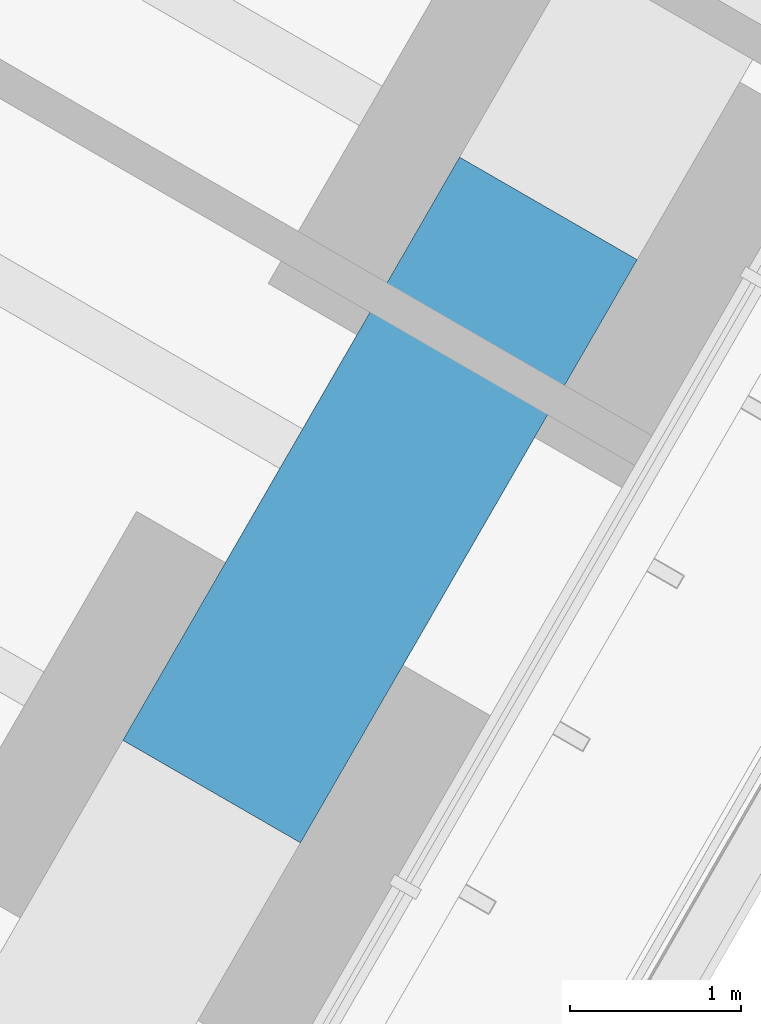
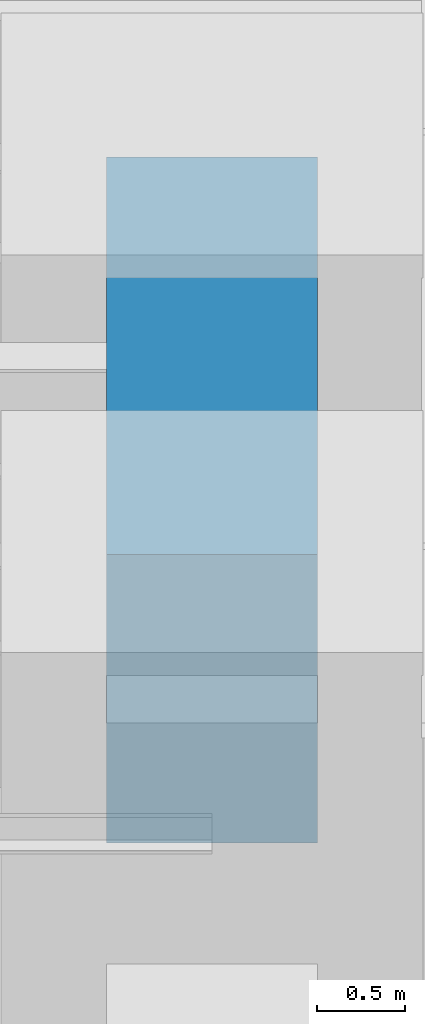
# One storey, part 100 of 238: 1 beam.
"""IFC4 building model written with IfcOpenShell, lengths in metres."""

from ifc_helpers import new_model, si_unit, direction, frame, origin, origin_2d, place, context, subcontext, project, spatial, rectangle, extrude, material, material_profile, profile_set, type_object, element, save


model = new_model("IFC4")

# Units and contexts
model_context = context("Model", 3, precision=1e-05, world=origin(), true_north=direction((0.0, 1.0)))
body_context = subcontext(model_context, "Body", "Model", "MODEL_VIEW")
ifc_project = project(units=[si_unit("LENGTHUNIT", "METRE"), si_unit("AREAUNIT", "SQUARE_METRE"), si_unit("VOLUMEUNIT", "CUBIC_METRE"), si_unit("PLANEANGLEUNIT", "RADIAN"), si_unit("MASSUNIT", "GRAM", prefix="KILO")], contexts=[model_context])

# Site, building, storey
site_placement = place(None, origin())
site = spatial("IfcSite", under=ifc_project, at=site_placement, CompositionType="ELEMENT")
building_placement = place(site_placement, origin())
building = spatial("IfcBuilding", under=site, at=building_placement, Name="Sandreach Pilgrim Tower", CompositionType="ELEMENT")
storey_placement = place(building_placement, frame((0.0, 0.0, 96.800048828125)))
storey = spatial("IfcBuildingStorey", under=building, at=storey_placement, Name="L23", CompositionType="ELEMENT", Elevation=96.800048828125)

# Beam
ifc_material = material(Name="Concrete 10000 psi", Category="concrete")
ifc_material_profile = material_profile(ifc_material, rectangle(XDim=1.199951171875, YDim=2.0, at=origin_2d()), Name="RC1200X2000")
ifc_profile_set = profile_set([ifc_material_profile], Name="Concrete 10000 psi")
beam_type = type_object("IfcBeamType", Name="Spandrel beam RC1200X2000", PredefinedType="SPANDREL", material=ifc_profile_set)
beam_placement = place(storey_placement, frame((21.343994140625, -5.498779296875, 2.639892578125), z_axis=(-0.49999779889, -0.866026674592, 0.0), x_axis=(0.866026674592, -0.49999779889, 0.0)))
element("IfcBeam", 1, at=beam_placement, inside=storey, type_object=beam_type, Name="BM L23 SP16", PredefinedType="SPANDREL", context=body_context, shape_type="SweptSolid", body=[
    extrude(rectangle(XDim=1.199951171875, YDim=2.0, at=origin_2d()), origin(), (0.0, 0.0, 1.0), 3.93994140625),
])

save(model, "model.ifc")
